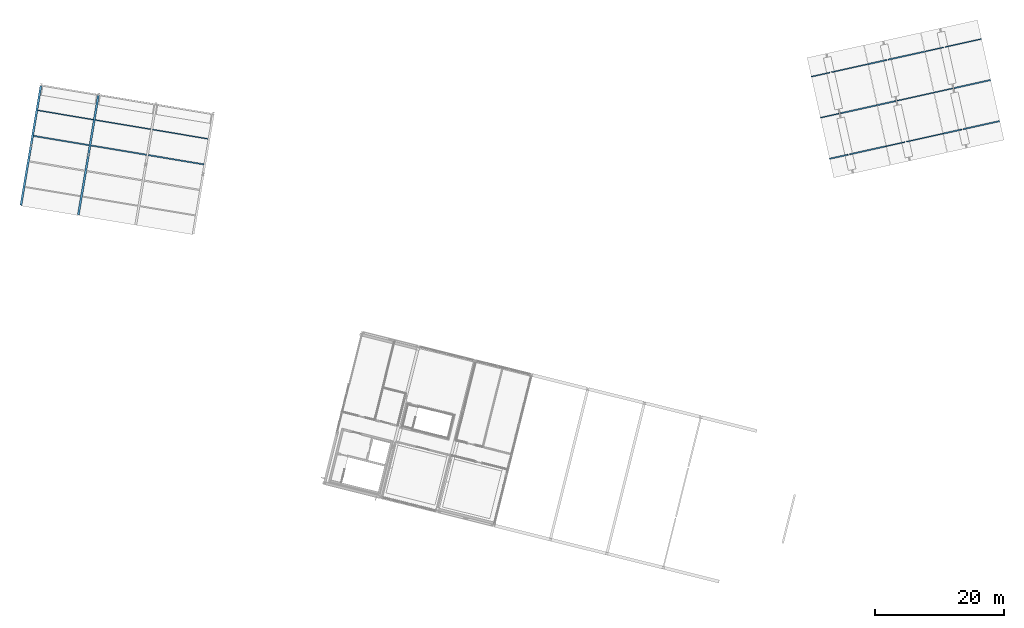
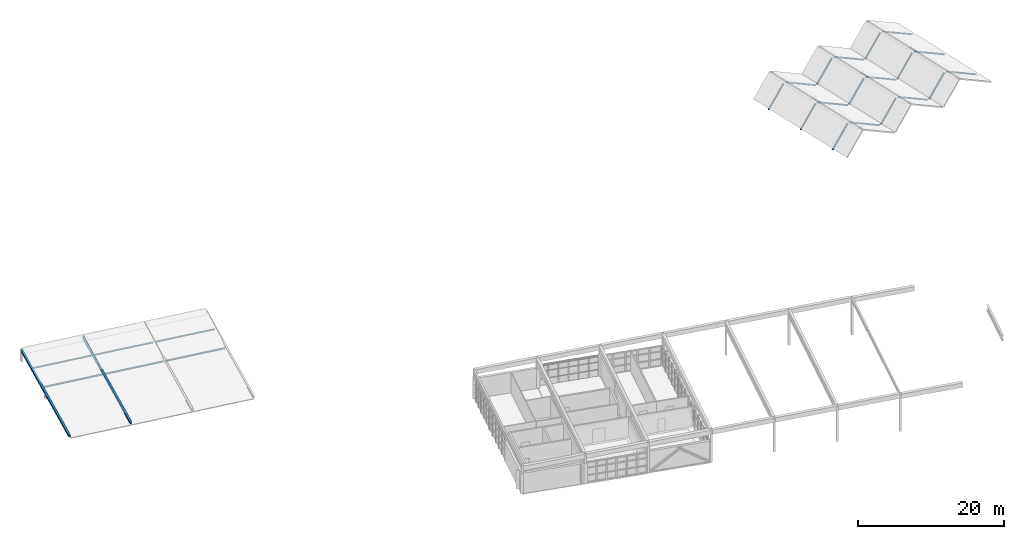
# One storey, part 18 of 27: 26 members.
"""IFC4 building model written with IfcOpenShell, lengths in metres."""

from ifc_helpers import new_model, si_unit, direction, frame, origin, origin_2d, place, context, subcontext, project, spatial, i_section, extrude, material, material_profile, profile_set, type_object, element, save


model = new_model("IFC4")

# Units and contexts
model_context = context("Model", 3, precision=1e-05, world=origin(), true_north=direction((0.0, 1.0)))
body_context = subcontext(model_context, "Body", "Model", "MODEL_VIEW")
ifc_project = project(units=[si_unit("LENGTHUNIT", "METRE"), si_unit("AREAUNIT", "SQUARE_METRE"), si_unit("VOLUMEUNIT", "CUBIC_METRE"), si_unit("PLANEANGLEUNIT", "RADIAN"), si_unit("MASSUNIT", "GRAM", prefix="KILO")], contexts=[model_context])

# Site, building, storey
site_placement = place(None, origin())
site = spatial("IfcSite", under=ifc_project, at=site_placement, CompositionType="ELEMENT")
building_placement = place(site_placement, origin())
building = spatial("IfcBuilding", under=site, at=building_placement, Name="Vireo Bluff Cable Station", CompositionType="ELEMENT")
storey_placement = place(building_placement, frame((0.0, 0.0, 19.199951171875)))
storey = spatial("IfcBuildingStorey", under=building, at=storey_placement, Name="L04", CompositionType="ELEMENT", Elevation=19.199951171875)

# Members
ifc_material = material(Name="Steel ASTM A992 Gr. 50", Category="steel")
ifc_material_profile_1 = material_profile(ifc_material, i_section(OverallWidth=0.304931640625, OverallDepth=0.306884765625, WebThickness=0.010009765625, FlangeThickness=0.015380859375, FilletRadius=0.012939453125, at=origin_2d()), Name="W12X65")
ifc_profile_set_1 = profile_set([ifc_material_profile_1], Name="Steel ASTM A992 Gr. 50")
member_type_1 = type_object("IfcMemberType", Name="CHD-01", PredefinedType="CHORD", material=ifc_profile_set_1)
member_1_placement = place(storey_placement, frame((15.96435546875, 79.502685546875, -0.119873046875), z_axis=(0.164047147885, 0.980337580566, 0.109666592002), x_axis=(-0.986286436864, 0.165042614067, 0.0)))
element("IfcMember", 1, at=member_1_placement, inside=storey, type_object=member_type_1, Name="V4 sawtooth roof rafter chord 2", PredefinedType="CHORD", context=body_context, shape_type="SweptSolid", body=[
    extrude(i_section(OverallWidth=0.304931640625, OverallDepth=0.306884765625, WebThickness=0.010009765625, FlangeThickness=0.015380859375, FilletRadius=0.012939453125, at=origin_2d()), origin(), (0.0, 0.0, 1.0), 18.873779296875),
])
ifc_material_profile_2 = material_profile(ifc_material, i_section(OverallWidth=0.304931640625, OverallDepth=0.306884765625, WebThickness=0.010009765625, FlangeThickness=0.015380859375, FilletRadius=0.012939453125, at=origin_2d()), Name="W12X65")
ifc_profile_set_2 = profile_set([ifc_material_profile_2], Name="Steel ASTM A992 Gr. 50")
member_type_2 = type_object("IfcMemberType", Name="EXTCHD-01", PredefinedType="CHORD", material=ifc_profile_set_2)
member_2_placement = place(storey_placement, frame((7.087646484375, 80.988037109375, -0.119873046875), z_axis=(0.164059735165, 0.980335500194, 0.109666359279), x_axis=(-0.98628431839, 0.165055273466, 0.0)))
element("IfcMember", 2, at=member_2_placement, inside=storey, type_object=member_type_2, Name="V4 sawtooth roof rafter chord 1", PredefinedType="CHORD", context=body_context, shape_type="SweptSolid", body=[
    extrude(i_section(OverallWidth=0.304931640625, OverallDepth=0.306884765625, WebThickness=0.010009765625, FlangeThickness=0.015380859375, FilletRadius=0.012939453125, at=origin_2d()), origin(), (0.0, 0.0, 1.0), 18.873779296875),
])
ifc_material_profile_3 = material_profile(ifc_material, i_section(OverallWidth=0.1650390625, OverallDepth=0.200927734375, WebThickness=0.006103515625, FlangeThickness=0.01025390625, FilletRadius=0.008056640625, at=origin_2d()), Name="W8X24")
ifc_profile_set_3 = profile_set([ifc_material_profile_3], Name="Steel ASTM A992 Gr. 50")
member_type_3 = type_object("IfcMemberType", Name="PUR-01", PredefinedType="PURLIN", material=ifc_profile_set_3)
member_3_placement = place(storey_placement, frame((130.74267578125, 94.5126953125, -0.304443359375), z_axis=(0.653744757133, 0.144936431532, 0.742705340856), x_axis=(-0.21644631564, 0.976294521364, 0.0)))
element("IfcMember", 3, at=member_3_placement, inside=storey, type_object=member_type_3, Name="V2 folded roof purlin 1.1.19", PredefinedType="PURLIN", context=body_context, shape_type="SweptSolid", body=[
    extrude(i_section(OverallWidth=0.1650390625, OverallDepth=0.200927734375, WebThickness=0.006103515625, FlangeThickness=0.01025390625, FilletRadius=0.008056640625, at=origin_2d()), origin(), (0.0, 0.0, 1.0), 4.226318359375),
])
for number, where, z_axis, x_axis, name in (
    (4, (132.4111328125, 101.54052734375, 2.862060546875), (0.852050343782, 0.188888448814, -0.488191935171), (-0.216432444327, 0.976297596557, 0.0), "V2 folded roof purlin 1.2.25"),
    (5, (144.011474609375, 90.796630859375, 2.862060546875), (0.852050343782, 0.188888448814, -0.488191935171), (-0.216432444327, 0.976297596557, 0.0), "V2 folded roof purlin 2.2.12"),
):
    element("IfcMember", number, at=place(storey_placement, frame(where, z_axis=z_axis, x_axis=x_axis)), inside=storey, type_object=member_type_3, Name=name, PredefinedType="PURLIN", context=body_context, shape_type="SweptSolid", body=[
        extrude(i_section(OverallWidth=0.1650390625, OverallDepth=0.200927734375, WebThickness=0.006103515625, FlangeThickness=0.01025390625, FilletRadius=0.008056640625, at=origin_2d()), origin(), (0.0, 0.0, 1.0), 6.542724609375),
    ])
member_4_placement = place(storey_placement, frame((148.31591796875, 98.40869140625, -0.304443359375), z_axis=(0.653744757133, 0.144936431532, 0.742705340856), x_axis=(-0.21644631564, 0.976294521364, 0.0)))
element("IfcMember", 6, at=member_4_placement, inside=storey, type_object=member_type_3, Name="V2 folded roof purlin 3.1.19", PredefinedType="PURLIN", context=body_context, shape_type="SweptSolid", body=[
    extrude(i_section(OverallWidth=0.1650390625, OverallDepth=0.200927734375, WebThickness=0.006103515625, FlangeThickness=0.01025390625, FilletRadius=0.008056640625, at=origin_2d()), origin(), (0.0, 0.0, 1.0), 4.226318359375),
])
member_5_placement = place(storey_placement, frame((149.984375, 105.436279296875, 2.862060546875), z_axis=(0.852050343782, 0.188888448814, -0.488191935171), x_axis=(-0.216432444327, 0.976297596557, 0.0)))
element("IfcMember", 7, at=member_5_placement, inside=storey, type_object=member_type_3, Name="V2 folded roof purlin 3.2.25", PredefinedType="PURLIN", context=body_context, shape_type="SweptSolid", body=[
    extrude(i_section(OverallWidth=0.1650390625, OverallDepth=0.200927734375, WebThickness=0.006103515625, FlangeThickness=0.01025390625, FilletRadius=0.008056640625, at=origin_2d()), origin(), (0.0, 0.0, 1.0), 6.542724609375),
])
member_6_placement = place(storey_placement, frame((9.681640625, 95.640869140625, 1.481689453125), z_axis=(0.986286264339, -0.165043645063, 0.0), x_axis=(0.165043645063, 0.986286264339, 0.0)))
element("IfcMember", 8, at=member_6_placement, inside=storey, type_object=member_type_3, Name="V4 sawtooth purlin 1.24", PredefinedType="PURLIN", context=body_context, shape_type="SweptSolid", body=[
    extrude(i_section(OverallWidth=0.1650390625, OverallDepth=0.200927734375, WebThickness=0.006103515625, FlangeThickness=0.01025390625, FilletRadius=0.008056640625, at=origin_2d()), origin(), (0.0, 0.0, 1.0), 8.72021484375),
])
member_7_placement = place(storey_placement, frame((18.558349609375, 94.155517578125, 1.481689453125), z_axis=(0.98628550168, -0.165048202583, 0.0), x_axis=(0.165048202583, 0.98628550168, 0.0)))
element("IfcMember", 9, at=member_7_placement, inside=storey, type_object=member_type_3, Name="V4 sawtooth purlin 2.24", PredefinedType="PURLIN", context=body_context, shape_type="SweptSolid", body=[
    extrude(i_section(OverallWidth=0.1650390625, OverallDepth=0.200927734375, WebThickness=0.006103515625, FlangeThickness=0.01025390625, FilletRadius=0.008056640625, at=origin_2d()), origin(), (0.0, 0.0, 1.0), 8.719970703125),
])
member_8_placement = place(storey_placement, frame((27.434814453125, 92.669921875, 1.481689453125), z_axis=(0.986286264339, -0.165043645063, 0.0), x_axis=(0.165043645063, 0.986286264339, 0.0)))
element("IfcMember", 10, at=member_8_placement, inside=storey, type_object=member_type_3, Name="V4 sawtooth purlin 3.24", PredefinedType="PURLIN", context=body_context, shape_type="SweptSolid", body=[
    extrude(i_section(OverallWidth=0.1650390625, OverallDepth=0.200927734375, WebThickness=0.006103515625, FlangeThickness=0.01025390625, FilletRadius=0.008056640625, at=origin_2d()), origin(), (0.0, 0.0, 1.0), 8.72021484375),
])
ifc_material_profile_4 = material_profile(ifc_material, i_section(OverallWidth=0.166015625, OverallDepth=0.205078125, WebThickness=0.007080078125, FlangeThickness=0.01171875, FilletRadius=0.008056640625, at=origin_2d()), Name="W8X28")
ifc_profile_set_4 = profile_set([ifc_material_profile_4], Name="Steel ASTM A992 Gr. 50")
member_type_4 = type_object("IfcMemberType", Name="PUR-02", PredefinedType="PURLIN", material=ifc_profile_set_4)
member_9_placement = place(storey_placement, frame((129.335693359375, 100.858642578125, -0.304443359375), z_axis=(0.653744757133, 0.144936431532, 0.742705340856), x_axis=(-0.21644631564, 0.976294521364, 0.0)))
element("IfcMember", 11, at=member_9_placement, inside=storey, type_object=member_type_4, Name="V2 folded roof purlin 1.1.25", PredefinedType="PURLIN", context=body_context, shape_type="SweptSolid", body=[
    extrude(i_section(OverallWidth=0.166015625, OverallDepth=0.205078125, WebThickness=0.007080078125, FlangeThickness=0.01171875, FilletRadius=0.008056640625, at=origin_2d()), origin(), (0.0, 0.0, 1.0), 4.226318359375),
])
member_10_placement = place(storey_placement, frame((140.936279296875, 90.11474609375, -0.304443359375), z_axis=(0.653711677069, 0.14494190507, 0.74273338919), x_axis=(-0.216464546883, 0.976290479285, 0.0)))
element("IfcMember", 12, at=member_10_placement, inside=storey, type_object=member_type_4, Name="V2 folded roof purlin 2.1.12", PredefinedType="PURLIN", context=body_context, shape_type="SweptSolid", body=[
    extrude(i_section(OverallWidth=0.166015625, OverallDepth=0.205078125, WebThickness=0.007080078125, FlangeThickness=0.01171875, FilletRadius=0.008056640625, at=origin_2d()), origin(), (0.0, 0.0, 1.0), 4.22607421875),
])
member_11_placement = place(storey_placement, frame((142.604736328125, 97.142578125, 2.862060546875), z_axis=(0.852040118607, 0.188894454535, -0.488207457265), x_axis=(-0.216441479209, 0.976295593597, 0.0)))
element("IfcMember", 13, at=member_11_placement, inside=storey, type_object=member_type_4, Name="V2 folded roof purlin 2.2.19", PredefinedType="PURLIN", context=body_context, shape_type="SweptSolid", body=[
    extrude(i_section(OverallWidth=0.166015625, OverallDepth=0.205078125, WebThickness=0.007080078125, FlangeThickness=0.01171875, FilletRadius=0.008056640625, at=origin_2d()), origin(), (0.0, 0.0, 1.0), 6.54248046875),
])
member_12_placement = place(storey_placement, frame((146.9091796875, 104.754638671875, -0.304443359375), z_axis=(0.653744757133, 0.144936431532, 0.742705340856), x_axis=(-0.21644631564, 0.976294521364, 0.0)))
element("IfcMember", 14, at=member_12_placement, inside=storey, type_object=member_type_4, Name="V2 folded roof purlin 3.1.25", PredefinedType="PURLIN", context=body_context, shape_type="SweptSolid", body=[
    extrude(i_section(OverallWidth=0.166015625, OverallDepth=0.205078125, WebThickness=0.007080078125, FlangeThickness=0.01171875, FilletRadius=0.008056640625, at=origin_2d()), origin(), (0.0, 0.0, 1.0), 4.226318359375),
])
ifc_material_profile_5 = material_profile(ifc_material, i_section(OverallWidth=0.2041015625, OverallDepth=0.2060546875, WebThickness=0.0078125, FlangeThickness=0.0126953125, FilletRadius=0.008056640625, at=origin_2d()), Name="W8X35")
ifc_profile_set_5 = profile_set([ifc_material_profile_5], Name="Steel ASTM A992 Gr. 50")
member_type_5 = type_object("IfcMemberType", Name="PUR-03", PredefinedType="PURLIN", material=ifc_profile_set_5)
member_13_placement = place(storey_placement, frame((135.224853515625, 88.8486328125, 2.862060546875), z_axis=(0.852050343782, 0.188888448814, -0.488191935171), x_axis=(-0.216432444327, 0.976297596557, 0.0)))
element("IfcMember", 15, at=member_13_placement, inside=storey, type_object=member_type_5, Name="V2 folded roof purlin 1.2.12", PredefinedType="PURLIN", context=body_context, shape_type="SweptSolid", body=[
    extrude(i_section(OverallWidth=0.2041015625, OverallDepth=0.2060546875, WebThickness=0.0078125, FlangeThickness=0.0126953125, FilletRadius=0.008056640625, at=origin_2d()), origin(), (0.0, 0.0, 1.0), 6.542724609375),
])
member_14_placement = place(storey_placement, frame((139.529296875, 96.460693359375, -0.304443359375), z_axis=(0.653744757133, 0.144936431532, 0.742705340856), x_axis=(-0.21644631564, 0.976294521364, 0.0)))
element("IfcMember", 16, at=member_14_placement, inside=storey, type_object=member_type_5, Name="V2 folded roof purlin 2.1.19", PredefinedType="PURLIN", context=body_context, shape_type="SweptSolid", body=[
    extrude(i_section(OverallWidth=0.2041015625, OverallDepth=0.2060546875, WebThickness=0.0078125, FlangeThickness=0.0126953125, FilletRadius=0.008056640625, at=origin_2d()), origin(), (0.0, 0.0, 1.0), 4.226318359375),
])
for number, where, z_axis, x_axis, name in (
    (17, (141.19775390625, 103.48828125, 2.862060546875), (0.852044337686, 0.188924432062, -0.48818849391), (-0.216473197238, 0.976288561276, 0.0), "V2 folded roof purlin 2.2.25"),
    (18, (152.798095703125, 92.744384765625, 2.862060546875), (0.852044337686, 0.188924432062, -0.48818849391), (-0.216473197238, 0.976288561276, 0.0), "V2 folded roof purlin 3.2.12"),
):
    element("IfcMember", number, at=place(storey_placement, frame(where, z_axis=z_axis, x_axis=x_axis)), inside=storey, type_object=member_type_5, Name=name, PredefinedType="PURLIN", context=body_context, shape_type="SweptSolid", body=[
        extrude(i_section(OverallWidth=0.2041015625, OverallDepth=0.2060546875, WebThickness=0.0078125, FlangeThickness=0.0126953125, FilletRadius=0.008056640625, at=origin_2d()), origin(), (0.0, 0.0, 1.0), 6.542724609375),
    ])
ifc_material_profile_6 = material_profile(ifc_material, i_section(OverallWidth=0.2060546875, OverallDepth=0.216064453125, WebThickness=0.01025390625, FlangeThickness=0.017333984375, FilletRadius=0.008056640625, at=origin_2d()), Name="W8X48")
ifc_profile_set_6 = profile_set([ifc_material_profile_6], Name="Steel ASTM A992 Gr. 50")
member_type_6 = type_object("IfcMemberType", Name="PUR-04", PredefinedType="PURLIN", material=ifc_profile_set_6)
member_15_placement = place(storey_placement, frame((132.1494140625, 88.166748046875, -0.304443359375), z_axis=(0.653744757133, 0.144936431532, 0.742705340856), x_axis=(-0.21644631564, 0.976294521364, 0.0)))
element("IfcMember", 19, at=member_15_placement, inside=storey, type_object=member_type_6, Name="V2 folded roof purlin 1.1.12", PredefinedType="PURLIN", context=body_context, shape_type="SweptSolid", body=[
    extrude(i_section(OverallWidth=0.2060546875, OverallDepth=0.216064453125, WebThickness=0.01025390625, FlangeThickness=0.017333984375, FilletRadius=0.008056640625, at=origin_2d()), origin(), (0.0, 0.0, 1.0), 4.226318359375),
])
member_16_placement = place(storey_placement, frame((133.81787109375, 95.194580078125, 2.862060546875), z_axis=(0.852050343782, 0.188888448814, -0.488191935171), x_axis=(-0.216432444327, 0.976297596557, 0.0)))
element("IfcMember", 20, at=member_16_placement, inside=storey, type_object=member_type_6, Name="V2 folded roof purlin 1.2.19", PredefinedType="PURLIN", context=body_context, shape_type="SweptSolid", body=[
    extrude(i_section(OverallWidth=0.2060546875, OverallDepth=0.216064453125, WebThickness=0.01025390625, FlangeThickness=0.017333984375, FilletRadius=0.008056640625, at=origin_2d()), origin(), (0.0, 0.0, 1.0), 6.542724609375),
])
for number, where, z_axis, x_axis, name in (
    (21, (138.12255859375, 102.806640625, -0.304443359375), (0.653744757133, 0.144936431532, 0.742705340856), (-0.21644631564, 0.976294521364, 0.0), "V2 folded roof purlin 2.1.25"),
    (22, (149.722900390625, 92.062744140625, -0.304443359375), (0.653744757133, 0.144936431532, 0.742705340856), (-0.21644631564, 0.976294521364, 0.0), "V2 folded roof purlin 3.1.12"),
):
    element("IfcMember", number, at=place(storey_placement, frame(where, z_axis=z_axis, x_axis=x_axis)), inside=storey, type_object=member_type_6, Name=name, PredefinedType="PURLIN", context=body_context, shape_type="SweptSolid", body=[
        extrude(i_section(OverallWidth=0.2060546875, OverallDepth=0.216064453125, WebThickness=0.01025390625, FlangeThickness=0.017333984375, FilletRadius=0.008056640625, at=origin_2d()), origin(), (0.0, 0.0, 1.0), 4.226318359375),
    ])
member_17_placement = place(storey_placement, frame((151.391357421875, 99.09033203125, 2.862060546875), z_axis=(0.852044337686, 0.188924432062, -0.48818849391), x_axis=(-0.216473197238, 0.976288561276, 0.0)))
element("IfcMember", 23, at=member_17_placement, inside=storey, type_object=member_type_6, Name="V2 folded roof purlin 3.2.19", PredefinedType="PURLIN", context=body_context, shape_type="SweptSolid", body=[
    extrude(i_section(OverallWidth=0.2060546875, OverallDepth=0.216064453125, WebThickness=0.01025390625, FlangeThickness=0.017333984375, FilletRadius=0.008056640625, at=origin_2d()), origin(), (0.0, 0.0, 1.0), 6.542724609375),
])
member_18_placement = place(storey_placement, frame((9.021484375, 91.69580078125, 0.9130859375), z_axis=(0.986286264339, -0.165043645063, 0.0), x_axis=(0.165043645063, 0.986286264339, 0.0)))
element("IfcMember", 24, at=member_18_placement, inside=storey, type_object=member_type_6, Name="V4 sawtooth purlin 1.20", PredefinedType="PURLIN", context=body_context, shape_type="SweptSolid", body=[
    extrude(i_section(OverallWidth=0.2060546875, OverallDepth=0.216064453125, WebThickness=0.01025390625, FlangeThickness=0.017333984375, FilletRadius=0.008056640625, at=origin_2d()), origin(), (0.0, 0.0, 1.0), 8.72021484375),
])
for number, where, z_axis, x_axis, name in (
    (25, (17.898193359375, 90.210205078125, 0.9130859375), (0.98628550168, -0.165048202583, 0.0), (0.165048202583, 0.98628550168, 0.0), "V4 sawtooth purlin 2.20"),
    (26, (26.774658203125, 88.724853515625, 0.9130859375), (0.98628550168, -0.165048202583, 0.0), (0.165048202583, 0.98628550168, 0.0), "V4 sawtooth purlin 3.20"),
):
    element("IfcMember", number, at=place(storey_placement, frame(where, z_axis=z_axis, x_axis=x_axis)), inside=storey, type_object=member_type_6, Name=name, PredefinedType="PURLIN", context=body_context, shape_type="SweptSolid", body=[
        extrude(i_section(OverallWidth=0.2060546875, OverallDepth=0.216064453125, WebThickness=0.01025390625, FlangeThickness=0.017333984375, FilletRadius=0.008056640625, at=origin_2d()), origin(), (0.0, 0.0, 1.0), 8.719970703125),
    ])

save(model, "model.ifc")
